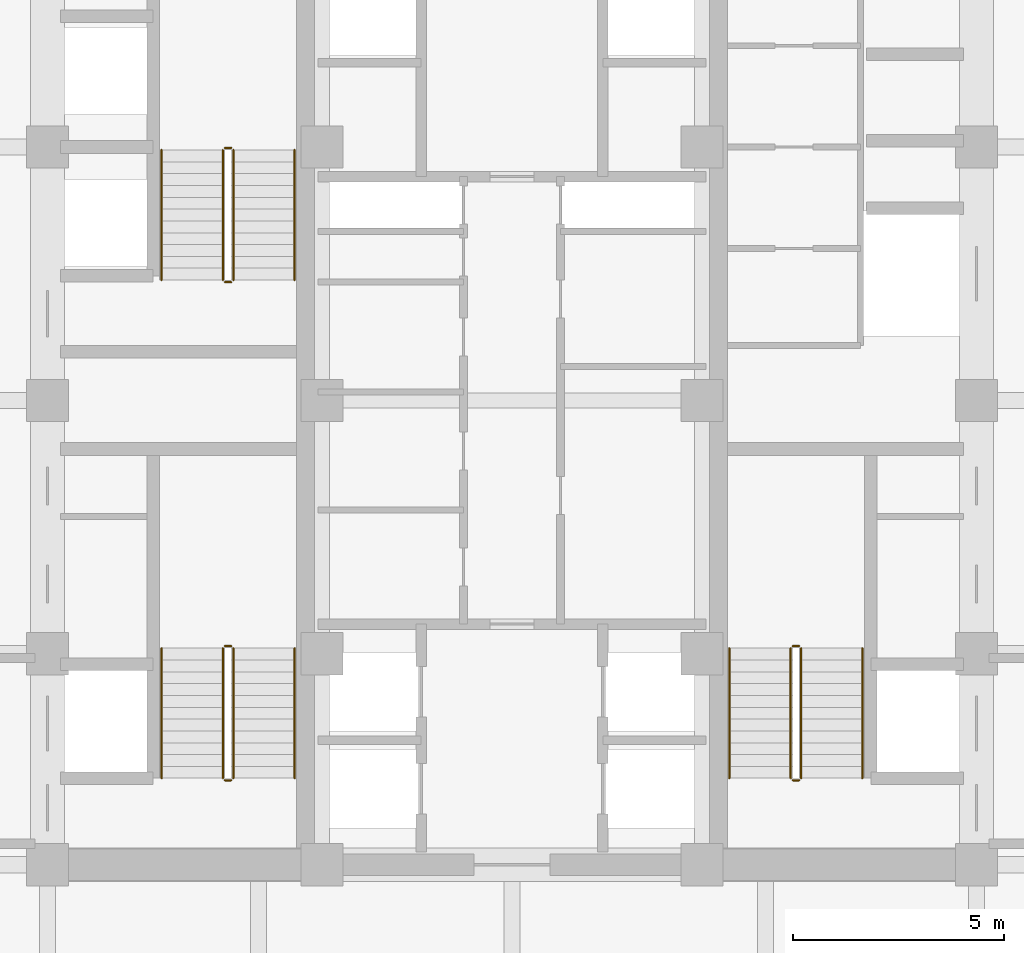
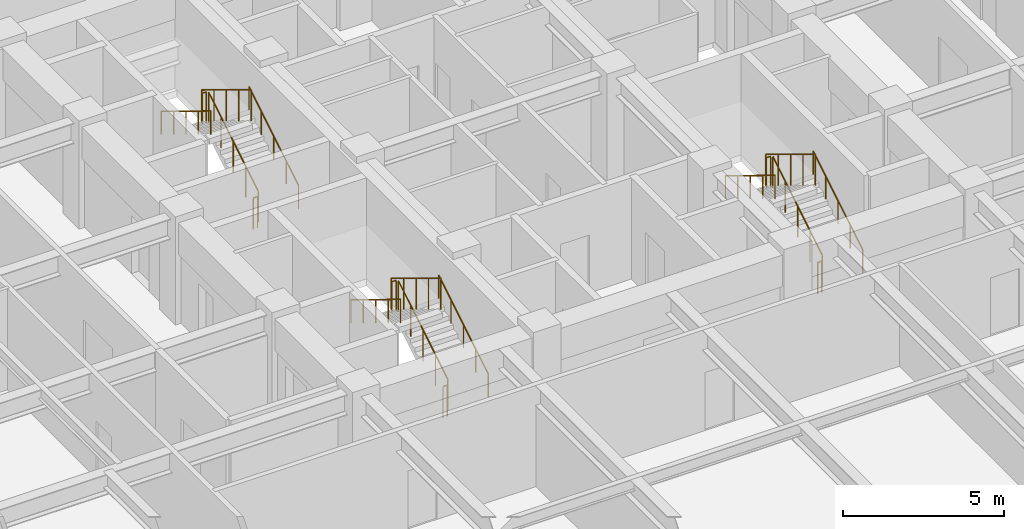
# One storey, part 27 of 27: 18 railings.
"""IFC4 building model written with IfcOpenShell, lengths in metres."""

from ifc_helpers import new_model, si_unit, direction, frame, origin, origin_2d, place, context, subcontext, project, spatial, circle, extrude, source, transform, mapped, material, type_object, element, save


model = new_model("IFC4")

# Units and contexts
model_context = context("Model", 3, precision=1e-05, world=origin(), true_north=direction((0.0, 1.0)))
body_context = subcontext(model_context, "Body", "Model", "MODEL_VIEW")
ifc_project = project(units=[si_unit("LENGTHUNIT", "METRE"), si_unit("AREAUNIT", "SQUARE_METRE"), si_unit("VOLUMEUNIT", "CUBIC_METRE"), si_unit("PLANEANGLEUNIT", "RADIAN"), si_unit("MASSUNIT", "GRAM", prefix="KILO")], contexts=[model_context])

# Site, building, storey
site_placement = place(None, origin())
site = spatial("IfcSite", under=ifc_project, at=site_placement, CompositionType="ELEMENT")
building_placement = place(site_placement, origin())
building = spatial("IfcBuilding", under=site, at=building_placement, Name="Khorayat Bourse Tower", CompositionType="ELEMENT")
storey_placement = place(building_placement, frame((0.0, 0.0, 107.800048828125)))
storey = spatial("IfcBuildingStorey", under=building, at=storey_placement, Name="L24", CompositionType="ELEMENT", Elevation=107.800048828125)

# Railings
ifc_material_1 = material(Name="Powder-coated steel balustrade", Category="steel")
railing_type_1 = type_object("IfcRailingType", Name="RLG-GUARD-1200", PredefinedType="GUARDRAIL", material=ifc_material_1)
shared_shape_1 = source(origin(), body_context, "Body", "SweptSolid", [
    extrude(circle(Radius=0.02392578125, at=origin_2d()), frame((0.0, 0.0, 1.17578125), z_axis=(-1.0, 0.0, 0.0), x_axis=(0.0, -1.0, 0.0)), (0.0, 0.0, 1.0), 0.150146484375),
    extrude(circle(Radius=0.02099609375, at=origin_2d()), origin(), (0.0, 0.0, 1.0), 1.15185546875),
    extrude(circle(Radius=0.02099609375, at=origin_2d()), frame((-0.150146484375, 0.0, 0.0)), (0.0, 0.0, 1.0), 1.15185546875),
])
for number, where, name in (
    (1, (-6.64990234375, -5.820068359375, 2.050048828125), "L24 ST-1 stair guard 2"),
    (2, (-6.64990234375, -9.0, 0.0), "L24 ST-1 stair guard 4"),
    (3, (-6.64990234375, 5.97998046875, 2.050048828125), "L24 ST-2 stair guard 2"),
    (4, (-6.64990234375, 2.800048828125, 0.0), "L24 ST-2 stair guard 4"),
    (5, (6.800048828125, -5.820068359375, 2.050048828125), "L24 ST-3 stair guard 2"),
    (6, (6.800048828125, -9.0, 0.0), "L24 ST-3 stair guard 4"),
):
    element("IfcRailing", number, at=place(storey_placement, frame(where)), inside=storey, type_object=railing_type_1, Name=name, PredefinedType="GUARDRAIL", context=body_context, shape_type="MappedRepresentation", body=[
        mapped(shared_shape_1, transform((0.0, 0.0, 0.0), scale=1.0)),
    ])
shared_shape_2 = source(origin(), body_context, "Body", "SweptSolid", [
    extrude(circle(Radius=0.02392578125, at=origin_2d()), frame((0.0, 0.0, 1.17578125), z_axis=(0.0, 0.853647949592, 0.520850437417), x_axis=(-1.0, 0.0, 0.0)), (0.0, 0.0, 1.0), 3.60791015625),
    extrude(circle(Radius=0.02099609375, at=origin_2d()), origin(), (0.0, 0.0, 1.0), 1.15185546875),
    extrude(circle(Radius=0.02099609375, at=origin_2d()), frame((0.0, 0.77001953125, 0.4697265625)), (0.0, 0.0, 1.0), 1.15185546875),
    extrude(circle(Radius=0.02099609375, at=origin_2d()), frame((0.0, 1.5400390625, 0.939453125)), (0.0, 0.0, 1.0), 1.15185546875),
    extrude(circle(Radius=0.02099609375, at=origin_2d()), frame((0.0, 2.309814453125, 1.409423828125)), (0.0, 0.0, 1.0), 1.15185546875),
    extrude(circle(Radius=0.02099609375, at=origin_2d()), frame((0.0, 3.079833984375, 1.879150390625)), (0.0, 0.0, 1.0), 1.15185546875),
])
for number, where, name in (
    (7, (-6.60009765625, -8.949951171875, 0.1708984375), "L24 ST-1 stair guard 1"),
    (8, (-6.60009765625, 2.85009765625, 0.1708984375), "L24 ST-2 stair guard 1"),
    (9, (6.85009765625, -8.949951171875, 0.1708984375), "L24 ST-3 stair guard 1"),
):
    element("IfcRailing", number, at=place(storey_placement, frame(where)), inside=storey, type_object=railing_type_1, Name=name, PredefinedType="GUARDRAIL", context=body_context, shape_type="MappedRepresentation", body=[
        mapped(shared_shape_2, transform((0.0, 0.0, 0.0), scale=1.0)),
    ])
shared_shape_3 = source(origin(), body_context, "Body", "SweptSolid", [
    extrude(circle(Radius=0.02392578125, at=origin_2d()), frame((0.0, 0.0, 1.17578125), z_axis=(0.0, -0.853647949592, 0.520850437417), x_axis=(1.0, 0.0, 0.0)), (0.0, 0.0, 1.0), 3.60791015625),
    extrude(circle(Radius=0.02099609375, at=origin_2d()), origin(), (0.0, 0.0, 1.0), 1.15185546875),
    extrude(circle(Radius=0.02099609375, at=origin_2d()), frame((0.0, -0.77001953125, 0.4697265625)), (0.0, 0.0, 1.0), 1.15185546875),
    extrude(circle(Radius=0.02099609375, at=origin_2d()), frame((0.0, -1.5400390625, 0.939453125)), (0.0, 0.0, 1.0), 1.15185546875),
    extrude(circle(Radius=0.02099609375, at=origin_2d()), frame((0.0, -2.309814453125, 1.409423828125)), (0.0, 0.0, 1.0), 1.15185546875),
    extrude(circle(Radius=0.02099609375, at=origin_2d()), frame((0.0, -3.079833984375, 1.879150390625)), (0.0, 0.0, 1.0), 1.15185546875),
])
for number, where, name in (
    (10, (-6.85009765625, -5.8701171875, 2.220703125), "L24 ST-1 stair guard 3"),
    (11, (-6.85009765625, 5.929931640625, 2.220703125), "L24 ST-2 stair guard 3"),
    (12, (6.60009765625, -5.8701171875, 2.220703125), "L24 ST-3 stair guard 3"),
):
    element("IfcRailing", number, at=place(storey_placement, frame(where)), inside=storey, type_object=railing_type_1, Name=name, PredefinedType="GUARDRAIL", context=body_context, shape_type="MappedRepresentation", body=[
        mapped(shared_shape_3, transform((0.0, 0.0, 0.0), scale=1.0)),
    ])
ifc_material_2 = material(Name="Brushed bronze stainless-steel handrail", Category="steel")
railing_type_2 = type_object("IfcRailingType", Name="RLG-HAND-900", PredefinedType="HANDRAIL", material=ifc_material_2)
shared_shape_4 = source(origin(), body_context, "Body", "SweptSolid", [
    extrude(circle(Radius=0.02392578125, at=origin_2d()), frame((0.0, 0.0, 0.8759765625), z_axis=(0.0, 0.853647949592, 0.520850437417), x_axis=(-1.0, 0.0, 0.0)), (0.0, 0.0, 1.0), 3.60791015625),
    extrude(circle(Radius=0.02099609375, at=origin_2d()), origin(), (0.0, 0.0, 1.0), 0.851806640625),
    extrude(circle(Radius=0.02099609375, at=origin_2d()), frame((0.0, 0.77001953125, 0.4697265625)), (0.0, 0.0, 1.0), 0.851806640625),
    extrude(circle(Radius=0.02099609375, at=origin_2d()), frame((0.0, 1.5400390625, 0.939453125)), (0.0, 0.0, 1.0), 0.851806640625),
    extrude(circle(Radius=0.02099609375, at=origin_2d()), frame((0.0, 2.309814453125, 1.409423828125)), (0.0, 0.0, 1.0), 0.851806640625),
    extrude(circle(Radius=0.02099609375, at=origin_2d()), frame((0.0, 3.079833984375, 1.879150390625)), (0.0, 0.0, 1.0), 0.851806640625),
])
for number, where, name in (
    (13, (-5.14990234375, -8.949951171875, 0.1708984375), "L24 ST-1 stair handrail 1"),
    (14, (-5.14990234375, 2.85009765625, 0.1708984375), "L24 ST-2 stair handrail 1"),
    (15, (8.300048828125, -8.949951171875, 0.1708984375), "L24 ST-3 stair handrail 1"),
):
    element("IfcRailing", number, at=place(storey_placement, frame(where)), inside=storey, type_object=railing_type_2, Name=name, PredefinedType="HANDRAIL", context=body_context, shape_type="MappedRepresentation", body=[
        mapped(shared_shape_4, transform((0.0, 0.0, 0.0), scale=1.0)),
    ])
shared_shape_5 = source(origin(), body_context, "Body", "SweptSolid", [
    extrude(circle(Radius=0.02392578125, at=origin_2d()), frame((0.0, 0.0, 0.8759765625), z_axis=(0.0, -0.853647949592, 0.520850437417), x_axis=(1.0, 0.0, 0.0)), (0.0, 0.0, 1.0), 3.60791015625),
    extrude(circle(Radius=0.02099609375, at=origin_2d()), origin(), (0.0, 0.0, 1.0), 0.851806640625),
    extrude(circle(Radius=0.02099609375, at=origin_2d()), frame((0.0, -0.77001953125, 0.4697265625)), (0.0, 0.0, 1.0), 0.851806640625),
    extrude(circle(Radius=0.02099609375, at=origin_2d()), frame((0.0, -1.5400390625, 0.939453125)), (0.0, 0.0, 1.0), 0.851806640625),
    extrude(circle(Radius=0.02099609375, at=origin_2d()), frame((0.0, -2.309814453125, 1.409423828125)), (0.0, 0.0, 1.0), 0.851806640625),
    extrude(circle(Radius=0.02099609375, at=origin_2d()), frame((0.0, -3.079833984375, 1.879150390625)), (0.0, 0.0, 1.0), 0.851806640625),
])
for number, where, name in (
    (16, (-8.300048828125, -5.8701171875, 2.220703125), "L24 ST-1 stair handrail 2"),
    (17, (-8.300048828125, 5.929931640625, 2.220703125), "L24 ST-2 stair handrail 2"),
    (18, (5.14990234375, -5.8701171875, 2.220703125), "L24 ST-3 stair handrail 2"),
):
    element("IfcRailing", number, at=place(storey_placement, frame(where)), inside=storey, type_object=railing_type_2, Name=name, PredefinedType="HANDRAIL", context=body_context, shape_type="MappedRepresentation", body=[
        mapped(shared_shape_5, transform((0.0, 0.0, 0.0), scale=1.0)),
    ])

save(model, "model.ifc")
